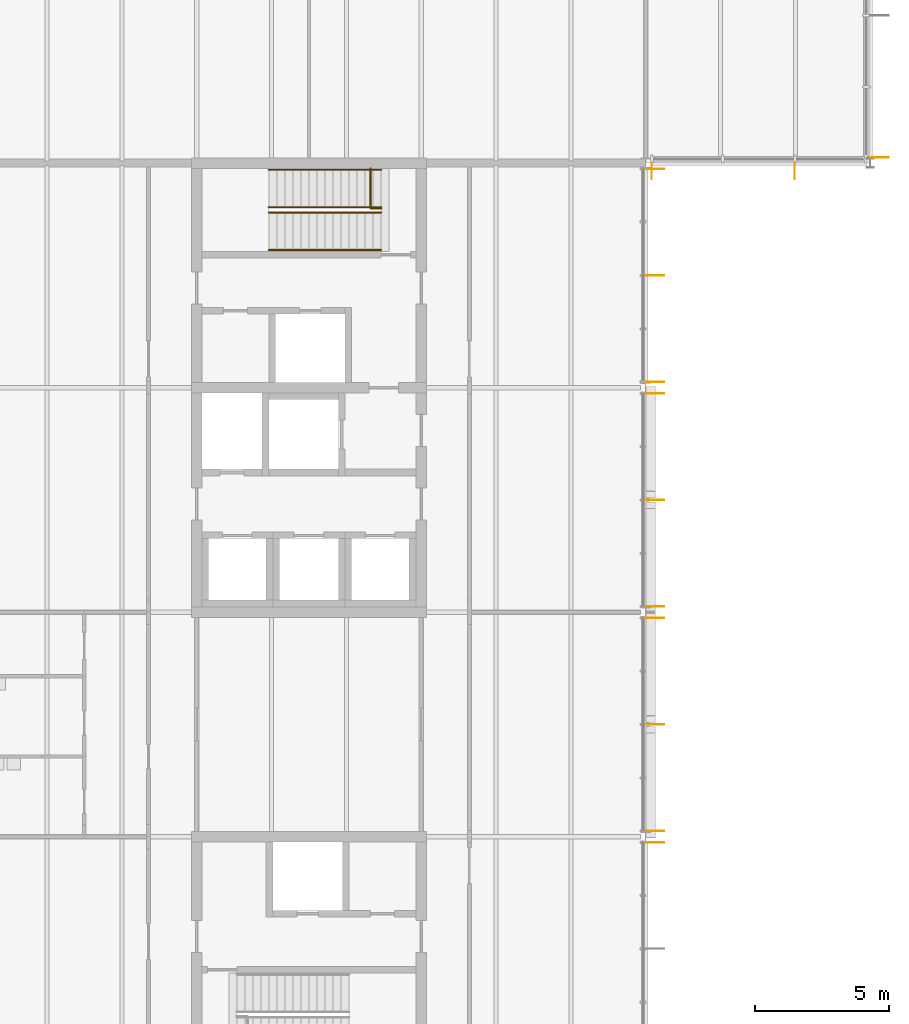
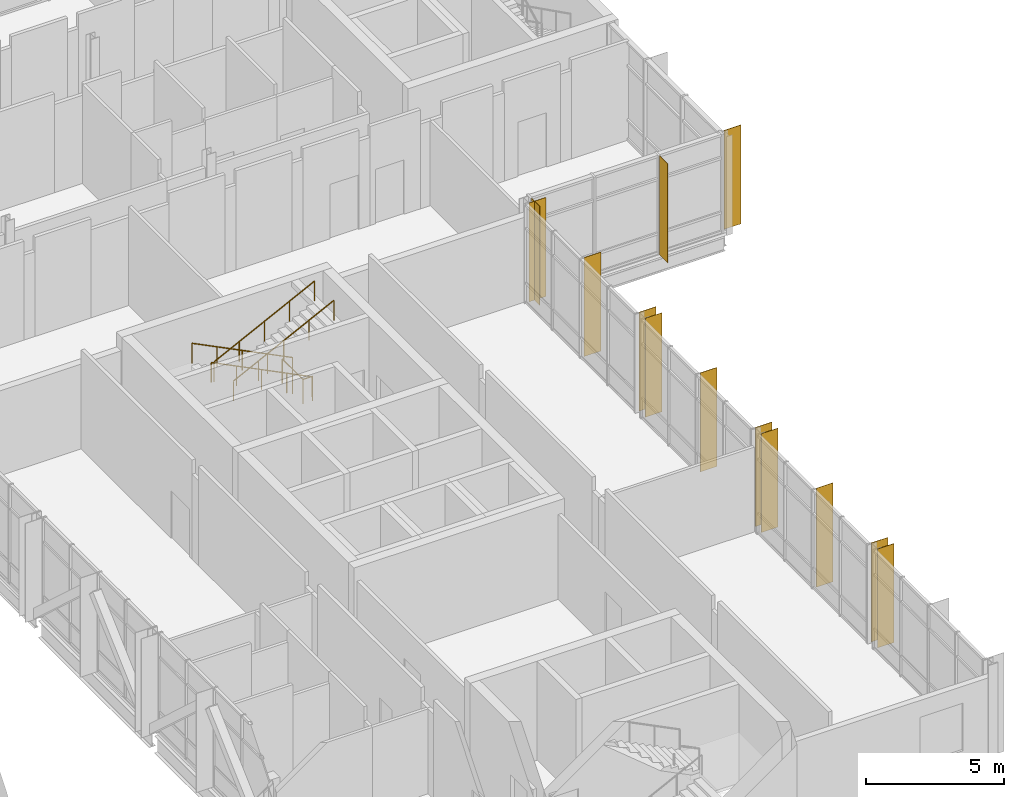
# One storey, part 68 of 72: 13 shading devices, 5 railings.
"""IFC4 building model written with IfcOpenShell, lengths in metres."""

from ifc_helpers import new_model, si_unit, direction, frame, origin, origin_2d, place, context, subcontext, project, spatial, rectangle, circle, extrude, material, layer, layer_set, type_object, element, save


model = new_model("IFC4")

# Units and contexts
model_context = context("Model", 3, precision=1e-05, world=origin(), true_north=direction((0.0, 1.0)))
body_context = subcontext(model_context, "Body", "Model", "MODEL_VIEW")
ifc_project = project(units=[si_unit("LENGTHUNIT", "METRE"), si_unit("AREAUNIT", "SQUARE_METRE"), si_unit("VOLUMEUNIT", "CUBIC_METRE"), si_unit("PLANEANGLEUNIT", "RADIAN"), si_unit("MASSUNIT", "GRAM", prefix="KILO")], contexts=[model_context])

# Site, building, storey
site_placement = place(None, origin())
site = spatial("IfcSite", under=ifc_project, at=site_placement, CompositionType="ELEMENT")
building_placement = place(site_placement, origin())
building = spatial("IfcBuilding", under=site, at=building_placement, Name="Hlaing Beacon Police Headquarters", CompositionType="ELEMENT")
storey_placement = place(building_placement, frame((0.0, 0.0, 14.39990234375)))
storey = spatial("IfcBuildingStorey", under=building, at=storey_placement, Name="L03", CompositionType="ELEMENT", Elevation=14.39990234375)

# Shading devices
ifc_material_1 = material(Name="Aluminium 6063-T5 anodised", Category="aluminium")
ifc_layer_1 = layer(ifc_material_1, 0.011962890625)
ifc_layer_set_1 = layer_set([ifc_layer_1], Name="Aluminium 6063-T5 anodised")
shading_device_type_1 = type_object("IfcShadingDeviceType", Name="Aluminium fin 12x600", PredefinedType="JALOUSIE", material=ifc_layer_set_1)
for number, where, z_axis, x_axis, name in (
    (1, (126.226806640625, 66.89990234375, 0.0), (0.0, 0.0, 1.0), (1.0, 0.0, 0.0), "Fin L03 S025.0"),
    (2, (131.57763671875, 66.89990234375, 0.0), (0.0, 0.0, 1.0), (1.0, 0.0, 0.0), "Fin L03 S025.2"),
):
    element("IfcShadingDevice", number, at=place(storey_placement, frame(where, z_axis=z_axis, x_axis=x_axis)), inside=storey, type_object=shading_device_type_1, Name=name, PredefinedType="JALOUSIE", context=body_context, shape_type="SweptSolid", body=[
        extrude(rectangle(XDim=0.011962890625, YDim=0.60009765625, at=origin_2d()), origin(), (0.0, 0.0, 1.0), 4.3701171875),
    ])
ifc_material_2 = material(Name="Aluminium 6063-T5 anodised", Category="aluminium")
ifc_layer_2 = layer(ifc_material_2, 0.01611328125)
ifc_layer_set_2 = layer_set([ifc_layer_2], Name="Aluminium 6063-T5 anodised")
shading_device_type_2 = type_object("IfcShadingDeviceType", Name="Aluminium fin 16x700", PredefinedType="JALOUSIE", material=ifc_layer_set_2)
for number, where, z_axis, x_axis, name in (
    (3, (126.35009765625, 41.779541015625, 0.0), (0.0, 0.0, 1.0), (0.0, 1.0, 0.0), "Fin L03 E021.4"),
    (4, (126.35009765625, 42.220458984375, 0.0), (0.0, 0.0, 1.0), (0.0, 1.0, 0.0), "Fin L03 E022.0"),
    (5, (126.35009765625, 46.199951171875, 0.0), (0.0, 0.0, 1.0), (0.0, 1.0, 0.0), "Fin L03 E022.2"),
    (6, (126.35009765625, 50.179443359375, 0.0), (0.0, 0.0, 1.0), (0.0, 1.0, 0.0), "Fin L03 E022.4"),
    (7, (126.35009765625, 50.62060546875, 0.0), (0.0, 0.0, 1.0), (0.0, 1.0, 0.0), "Fin L03 E023.0"),
    (8, (126.35009765625, 54.60009765625, 0.0), (0.0, 0.0, 1.0), (0.0, 1.0, 0.0), "Fin L03 E023.2"),
    (9, (126.35009765625, 58.57958984375, 0.0), (0.0, 0.0, 1.0), (0.0, 1.0, 0.0), "Fin L03 E023.4"),
    (10, (126.35009765625, 59.0205078125, 0.0), (0.0, 0.0, 1.0), (0.0, 1.0, 0.0), "Fin L03 E024.0"),
    (11, (126.35009765625, 63.001953125, 0.0), (0.0, 0.0, 1.0), (0.0, 1.0, 0.0), "Fin L03 E024.2"),
    (12, (126.35009765625, 66.9833984375, 0.0), (0.0, 0.0, 1.0), (0.0, 1.0, 0.0), "Fin L03 E024.4"),
    (13, (134.75, 67.41650390625, 0.0), (0.0, 0.0, 1.0), (0.0, 1.0, 0.0), "Fin L03 E026.0"),
):
    element("IfcShadingDevice", number, at=place(storey_placement, frame(where, z_axis=z_axis, x_axis=x_axis)), inside=storey, type_object=shading_device_type_2, Name=name, PredefinedType="JALOUSIE", context=body_context, shape_type="SweptSolid", body=[
        extrude(rectangle(XDim=0.01611328125, YDim=0.699951171875, at=origin_2d()), origin(), (0.0, 0.0, 1.0), 4.3701171875),
    ])

# Railings
ifc_material_3 = material(Name="Stainless steel", Category="steel")
railing_type_1 = type_object("IfcRailingType", Name="Stair guard 1100", PredefinedType="GUARDRAIL", material=ifc_material_3)
railing_placement = place(storey_placement, frame((115.699951171875, 67.0, 0.0)))
element("IfcRailing", 14, at=railing_placement, inside=storey, type_object=railing_type_1, Name="Guard ST-M", PredefinedType="GUARDRAIL", context=body_context, shape_type="SweptSolid", body=[
    extrude(circle(Radius=0.02392578125, at=origin_2d()), frame((0.0, 0.0, 1.076171875), z_axis=(0.0, -1.0, 0.0), x_axis=(1.0, 0.0, 0.0)), (0.0, 0.0, 1.0), 1.5),
    extrude(circle(Radius=0.02392578125, at=origin_2d()), frame((0.0, -1.5, 1.076171875), z_axis=(1.0, 0.0, 0.0), x_axis=(0.0, 1.0, 0.0)), (0.0, 0.0, 1.0), 0.400146484375),
    extrude(circle(Radius=0.02099609375, at=origin_2d()), origin(), (0.0, 0.0, 1.0), 1.052001953125),
    extrude(circle(Radius=0.02099609375, at=origin_2d()), frame((0.0, -0.75, 0.0)), (0.0, 0.0, 1.0), 1.052001953125),
    extrude(circle(Radius=0.02099609375, at=origin_2d()), frame((0.0, -1.5, 0.0)), (0.0, 0.0, 1.0), 1.052001953125),
    extrude(circle(Radius=0.02099609375, at=origin_2d()), frame((0.400146484375, -1.5, 0.0)), (0.0, 0.0, 1.0), 1.052001953125),
])
ifc_material_4 = material(Name="Stainless steel", Category="steel")
railing_type_2 = type_object("IfcRailingType", Name="Stair handrail 900", PredefinedType="HANDRAIL", material=ifc_material_4)
for number, where, name in (
    (15, (116.10009765625, 66.949951171875, 0.150146484375), "Handrail ST-M"),
    (16, (116.10009765625, 65.550048828125, 0.150146484375), "Handrail ST-M"),
):
    element("IfcRailing", number, at=place(storey_placement, frame(where)), inside=storey, type_object=railing_type_2, Name=name, PredefinedType="HANDRAIL", context=body_context, shape_type="SweptSolid", body=[
        extrude(circle(Radius=0.02392578125, at=origin_2d()), frame((0.0, 0.0, 0.8759765625), z_axis=(-0.894447986312, 0.0, 0.447172002457), x_axis=(0.0, -1.0, 0.0)), (0.0, 0.0, 1.0), 4.69580078125),
        extrude(circle(Radius=0.02099609375, at=origin_2d()), origin(), (0.0, 0.0, 1.0), 0.851806640625),
        extrude(circle(Radius=0.02099609375, at=origin_2d()), frame((-1.050048828125, 0.0, 0.52490234375)), (0.0, 0.0, 1.0), 0.851806640625),
        extrude(circle(Radius=0.02099609375, at=origin_2d()), frame((-2.10009765625, 0.0, 1.0498046875)), (0.0, 0.0, 1.0), 0.851806640625),
        extrude(circle(Radius=0.02099609375, at=origin_2d()), frame((-3.150146484375, 0.0, 1.574951171875)), (0.0, 0.0, 1.0), 0.851806640625),
        extrude(circle(Radius=0.02099609375, at=origin_2d()), frame((-4.2001953125, 0.0, 2.099853515625)), (0.0, 0.0, 1.0), 0.851806640625),
    ])
for number, where, name in (
    (17, (111.89990234375, 65.35009765625, 2.400146484375), "Handrail ST-M"),
    (18, (111.89990234375, 63.949951171875, 2.400146484375), "Handrail ST-M"),
):
    element("IfcRailing", number, at=place(storey_placement, frame(where)), inside=storey, type_object=railing_type_2, Name=name, PredefinedType="HANDRAIL", context=body_context, shape_type="SweptSolid", body=[
        extrude(circle(Radius=0.02392578125, at=origin_2d()), frame((0.0, 0.0, 0.8759765625), z_axis=(0.894447986312, 0.0, 0.447172002457), x_axis=(0.0, 1.0, 0.0)), (0.0, 0.0, 1.0), 4.69580078125),
        extrude(circle(Radius=0.02099609375, at=origin_2d()), origin(), (0.0, 0.0, 1.0), 0.851806640625),
        extrude(circle(Radius=0.02099609375, at=origin_2d()), frame((1.050048828125, 0.0, 0.52490234375)), (0.0, 0.0, 1.0), 0.851806640625),
        extrude(circle(Radius=0.02099609375, at=origin_2d()), frame((2.10009765625, 0.0, 1.0498046875)), (0.0, 0.0, 1.0), 0.851806640625),
        extrude(circle(Radius=0.02099609375, at=origin_2d()), frame((3.150146484375, 0.0, 1.574951171875)), (0.0, 0.0, 1.0), 0.851806640625),
        extrude(circle(Radius=0.02099609375, at=origin_2d()), frame((4.2001953125, 0.0, 2.099853515625)), (0.0, 0.0, 1.0), 0.851806640625),
    ])

save(model, "model.ifc")
